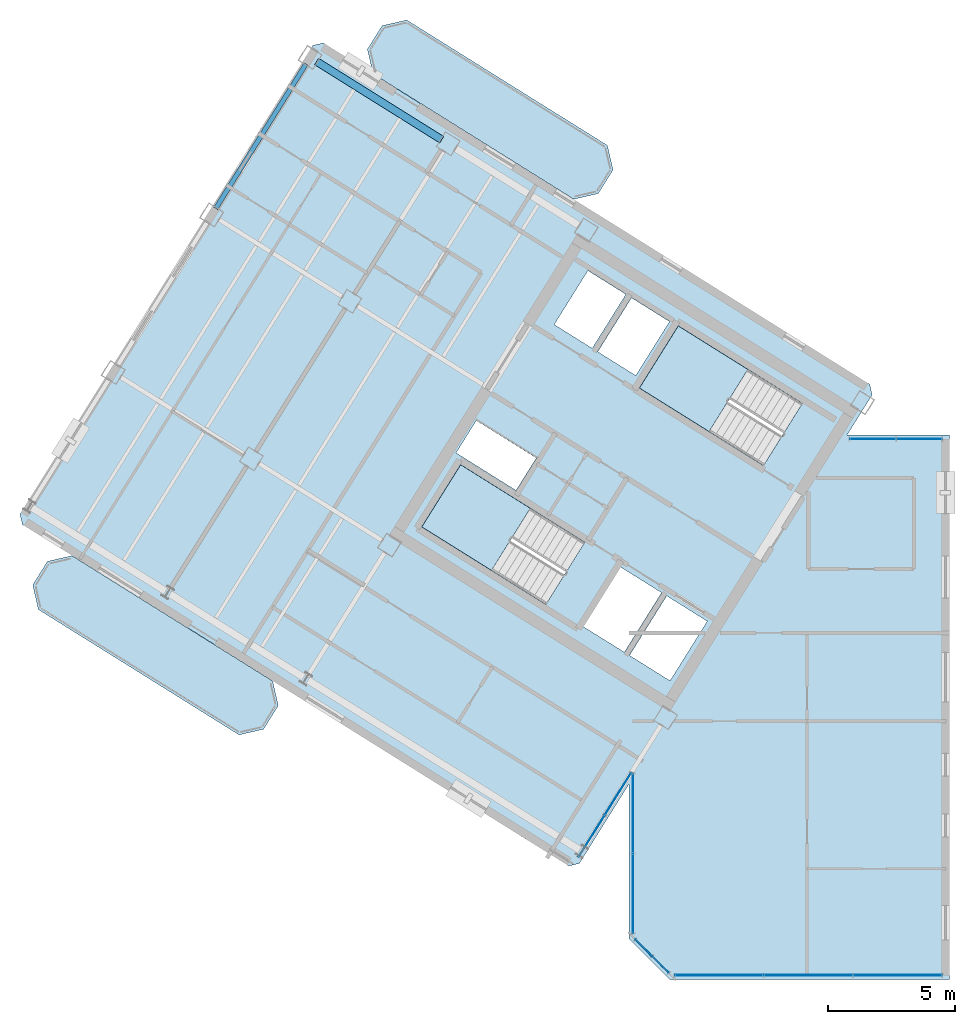
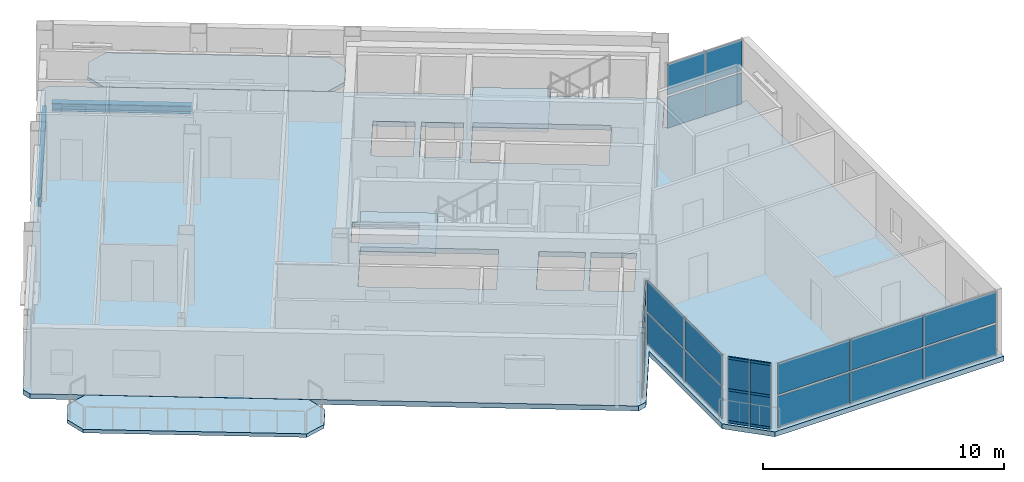
# One storey, part 6 of 12: 22 plates, 6 members, 5 slabs, 2 beams, 7 elements without a shape of their own.
"""IFC4 building model written with IfcOpenShell, lengths in metres."""

from ifc_helpers import new_model, si_unit, direction, frame, origin, origin_2d, place, context, subcontext, project, spatial, polyline, rectangle, hollow_rectangle, i_section, outline, extrude, source, transform, mapped, material, layer, layer_set, material_profile, profile_set, type_object, element, aggregate, save


model = new_model("IFC4")

# Units and contexts
model_context = context("Model", 3, precision=1e-05, world=origin(), true_north=direction((0.0, 1.0)))
body_context = subcontext(model_context, "Body", "Model", "MODEL_VIEW")
ifc_project = project(units=[si_unit("LENGTHUNIT", "METRE"), si_unit("AREAUNIT", "SQUARE_METRE"), si_unit("VOLUMEUNIT", "CUBIC_METRE"), si_unit("PLANEANGLEUNIT", "RADIAN"), si_unit("MASSUNIT", "GRAM", prefix="KILO")], contexts=[model_context])

# Site, building, storey
site_placement = place(None, origin())
site = spatial("IfcSite", under=ifc_project, at=site_placement, CompositionType="ELEMENT")
building_placement = place(site_placement, origin())
building = spatial("IfcBuilding", under=site, at=building_placement, Name="Tlacorven Tower", CompositionType="ELEMENT")
storey_placement = place(building_placement, frame((0.0, 0.0, 288.0)))
storey = spatial("IfcBuildingStorey", under=building, at=storey_placement, Name="L73", CompositionType="ELEMENT", Elevation=288.0)

# Beams
ifc_material_1 = material(Name="Steel S355J2", Category="steel")
ifc_material_profile_1 = material_profile(ifc_material_1, i_section(OverallWidth=0.300048828125, OverallDepth=0.389892578125, WebThickness=0.010986328125, FlangeThickness=0.01904296875, at=origin_2d()), Name="HEA 400")
ifc_profile_set_1 = profile_set([ifc_material_profile_1], Name="Steel S355J2")
beam_type_1 = type_object("IfcBeamType", Name="BM-SPN-400", PredefinedType="SPANDREL", material=ifc_profile_set_1)
shared_shape_1 = source(origin(), body_context, "Body", "SweptSolid", [
    extrude(i_section(OverallWidth=0.300048828125, OverallDepth=0.389892578125, WebThickness=0.010986328125, FlangeThickness=0.01904296875, at=origin_2d()), origin(), (0.0, 0.0, 1.0), 5.800048828125),
])
beam_1_placement = place(storey_placement, frame((24.24609375, 34.8017578125, -0.445068359375), z_axis=(-0.848052689693, 0.529911912967, 0.0), x_axis=(-0.529911912967, -0.848052689693, 0.0)))
element("IfcBeam", 1, at=beam_1_placement, inside=storey, type_object=beam_type_1, Name="L73 beam BM-L73-WL1-4", PredefinedType="SPANDREL", context=body_context, shape_type="MappedRepresentation", body=[
    mapped(shared_shape_1, transform((0.0, 0.0, 0.0), scale=1.0)),
])
ifc_material_profile_2 = material_profile(ifc_material_1, i_section(OverallWidth=0.18994140625, OverallDepth=0.449951171875, WebThickness=0.009521484375, FlangeThickness=0.0146484375, at=origin_2d()), Name="IPE 450")
ifc_profile_set_2 = profile_set([ifc_material_profile_2], Name="Steel S355J2")
beam_type_2 = type_object("IfcBeamType", Name="BM-TWR-450", PredefinedType="BEAM", material=ifc_profile_set_2)
shared_shape_2 = source(origin(), body_context, "Body", "SweptSolid", [
    extrude(i_section(OverallWidth=0.18994140625, OverallDepth=0.449951171875, WebThickness=0.009521484375, FlangeThickness=0.0146484375, at=origin_2d()), origin(), (0.0, 0.0, 1.0), 6.7001953125),
])
beam_2_placement = place(storey_placement, frame((18.9140625, 37.780029296875, -0.47509765625), z_axis=(-0.52991377951, -0.848051523367, 0.0), x_axis=(0.848051523367, -0.52991377951, 0.0)))
element("IfcBeam", 2, at=beam_2_placement, inside=storey, type_object=beam_type_2, Name="L73 beam BM-L73-WT5-1", PredefinedType="BEAM", context=body_context, shape_type="MappedRepresentation", body=[
    mapped(shared_shape_2, transform((0.0, 0.0, 0.0), scale=1.0)),
])

# Curtain wall, members
ifc_material_2 = material(Name="Dark solar low-E double glazing in aluminium frame", Category="aluminium")
curtain_wall_type = type_object("IfcCurtainWallType", Name="CW-TWR-HIGH", PredefinedType="USERDEFINED", material=ifc_material_2)
curtain_wall_1_placement = place(storey_placement, origin())
curtain_wall_1 = element("IfcCurtainWall", 3, at=curtain_wall_1_placement, inside=storey, type_object=curtain_wall_type, Name="L73 CW-TWR-HIGH Curtain Wall 340", ObjectType="UNITISED CURTAIN WALL", PredefinedType="USERDEFINED")
ifc_material_3 = material(Name="Aluminium 6063-T6 anodised", Category="aluminium")
ifc_material_profile_3 = material_profile(ifc_material_3, hollow_rectangle(XDim=0.054931640625, YDim=0.1201171875, WallThickness=0.00341796875, at=origin_2d()), Name="ALU TRANSOM 55X120")
ifc_profile_set_3 = profile_set([ifc_material_profile_3], Name="Aluminium 6063-T6 anodised")
member_type = type_object("IfcMemberType", Name="CWT-03", PredefinedType="USERDEFINED", material=ifc_profile_set_3)
shared_shape_3 = source(origin(), body_context, "Body", "SweptSolid", [
    extrude(hollow_rectangle(XDim=0.054931640625, YDim=0.1201171875, WallThickness=0.00341796875, at=origin_2d()), origin(), (0.0, 0.0, 1.0), 0.899169921875),
])
member_1_placement = place(storey_placement, frame((33.16162109375, 2.064697265625, 0.06005859375), z_axis=(-0.707106781187, 0.707106781187, 0.0), x_axis=(-0.707106781187, -0.707106781187, 0.0)))
member_1 = element("IfcMember", 4, at=member_1_placement, type_object=member_type, Name="CW-L73-340 Transom 1", ObjectType="TRANSOM", PredefinedType="USERDEFINED", context=body_context, shape_type="MappedRepresentation", body=[
    mapped(shared_shape_3, transform((0.0, 0.0, 0.0), scale=1.0)),
])
member_2_placement = place(storey_placement, frame((33.16162109375, 2.064697265625, 1.675048828125), z_axis=(-0.707106781187, 0.707106781187, 0.0), x_axis=(-0.707106781187, -0.707106781187, 0.0)))
member_2 = element("IfcMember", 5, at=member_2_placement, type_object=member_type, Name="CW-L73-340 Transom 2", ObjectType="TRANSOM", PredefinedType="USERDEFINED", context=body_context, shape_type="MappedRepresentation", body=[
    mapped(shared_shape_3, transform((0.0, 0.0, 0.0), scale=1.0)),
])
member_3_placement = place(storey_placement, frame((33.16162109375, 2.064697265625, 3.2900390625), z_axis=(-0.707106781187, 0.707106781187, 0.0), x_axis=(-0.707106781187, -0.707106781187, 0.0)))
member_3 = element("IfcMember", 6, at=member_3_placement, type_object=member_type, Name="CW-L73-340 Transom 3", ObjectType="TRANSOM", PredefinedType="USERDEFINED", context=body_context, shape_type="MappedRepresentation", body=[
    mapped(shared_shape_3, transform((0.0, 0.0, 0.0), scale=1.0)),
])
member_4_placement = place(storey_placement, frame((32.50048828125, 2.725830078125, 0.06005859375), z_axis=(-0.707106781187, 0.707106781187, 0.0), x_axis=(-0.707106781187, -0.707106781187, 0.0)))
member_4 = element("IfcMember", 7, at=member_4_placement, type_object=member_type, Name="CW-L73-340 Transom 4", ObjectType="TRANSOM", PredefinedType="USERDEFINED", context=body_context, shape_type="MappedRepresentation", body=[
    mapped(shared_shape_3, transform((0.0, 0.0, 0.0), scale=1.0)),
])
member_5_placement = place(storey_placement, frame((32.50048828125, 2.725830078125, 1.675048828125), z_axis=(-0.707106781187, 0.707106781187, 0.0), x_axis=(-0.707106781187, -0.707106781187, 0.0)))
member_5 = element("IfcMember", 8, at=member_5_placement, type_object=member_type, Name="CW-L73-340 Transom 5", ObjectType="TRANSOM", PredefinedType="USERDEFINED", context=body_context, shape_type="MappedRepresentation", body=[
    mapped(shared_shape_3, transform((0.0, 0.0, 0.0), scale=1.0)),
])
member_6_placement = place(storey_placement, frame((32.50048828125, 2.725830078125, 3.2900390625), z_axis=(-0.707106781187, 0.707106781187, 0.0), x_axis=(-0.707106781187, -0.707106781187, 0.0)))
member_6 = element("IfcMember", 9, at=member_6_placement, type_object=member_type, Name="CW-L73-340 Transom 6", ObjectType="TRANSOM", PredefinedType="USERDEFINED", context=body_context, shape_type="MappedRepresentation", body=[
    mapped(shared_shape_3, transform((0.0, 0.0, 0.0), scale=1.0)),
])

# Slabs
ifc_material_4 = material(Name="Precast concrete C45/55", Category="concrete")
ifc_layer_1 = layer(ifc_material_4, 0.179931640625)
ifc_layer_set_1 = layer_set([ifc_layer_1], Name="Precast concrete C45/55")
slab_type_1 = type_object("IfcSlabType", Name="SL-BAL-180", PredefinedType="USERDEFINED", material=ifc_layer_set_1)
slab_1_placement = place(storey_placement, frame((0.0, 0.0, -0.179931640625)))
element("IfcSlab", 10, at=slab_1_placement, inside=storey, type_object=slab_type_1, Name="L73 West Wing Balcony Ribbon OUT", ObjectType="BALCONY SLAB", PredefinedType="USERDEFINED", context=body_context, shape_type="SweptSolid", body=[
    extrude(outline(polyline([(17.601318359375, 13.52490234375), (9.71435546875, 18.453125), (8.749755859375, 18.23046875), (8.169677734375, 17.3017578125), (8.392333984375, 16.33740234375), (16.279052734375, 11.408935546875), (17.24365234375, 11.6318359375), (17.823974609375, 12.560302734375), (17.601318359375, 13.52490234375)])), origin(), (0.0, 0.0, 1.0), 0.179931640625),
])
slab_2_placement = place(storey_placement, frame((0.0, 0.0, -0.179931640625)))
element("IfcSlab", 11, at=slab_2_placement, inside=storey, type_object=slab_type_1, Name="L73 West Wing Balcony Ribbon IN", ObjectType="BALCONY SLAB", PredefinedType="USERDEFINED", context=body_context, shape_type="SweptSolid", body=[
    extrude(outline(polyline([(30.756591796875, 34.57763671875), (22.86962890625, 39.505859375), (21.905029296875, 39.283203125), (21.324951171875, 38.354736328125), (21.547607421875, 37.39013671875), (29.434326171875, 32.4619140625), (30.39892578125, 32.6845703125), (30.979248046875, 33.613037109375), (30.756591796875, 34.57763671875)])), origin(), (0.0, 0.0, 1.0), 0.179931640625),
])

# Stair, slab
ifc_material_5 = material(Name="Concrete C40/50", Category="concrete")
stair_type = type_object("IfcStairType", Name="ST-CORE-DLG", PredefinedType="HALF_TURN_STAIR", material=ifc_material_5)
stair_1_placement = place(storey_placement, origin())
stair_1 = element("IfcStair", 12, at=stair_1_placement, inside=storey, type_object=stair_type, Name="L73 Protected Exit Stair West 1", PredefinedType="HALF_TURN_STAIR")
ifc_layer_2 = layer(ifc_material_5, 0.199951171875)
ifc_layer_set_2 = layer_set([ifc_layer_2], Name="Concrete C40/50")
slab_type_2 = type_object("IfcSlabType", Name="SL-LND-200", PredefinedType="LANDING", material=ifc_layer_set_2)
slab_3_placement = place(storey_placement, frame((0.0, 0.0, 1.60009765625)))
slab_3 = element("IfcSlab", 13, at=slab_3_placement, type_object=slab_type_2, Name="ST-W1 landing 1", PredefinedType="LANDING", context=body_context, shape_type="SweptSolid", body=[
    extrude(outline(polyline([(27.728515625, 20.315185546875), (24.9892578125, 22.02685546875), (23.463134765625, 19.58447265625), (26.2021484375, 17.872802734375), (27.728515625, 20.315185546875)])), origin(), (0.0, 0.0, 1.0), 0.199951171875),
])
aggregate(stair_1, [slab_3])

stair_2_placement = place(storey_placement, origin())
stair_2 = element("IfcStair", 14, at=stair_2_placement, inside=storey, type_object=stair_type, Name="L73 Protected Exit Stair West 2", PredefinedType="HALF_TURN_STAIR")
slab_4_placement = place(storey_placement, frame((0.0, 0.0, 1.60009765625)))
slab_4 = element("IfcSlab", 15, at=slab_4_placement, type_object=slab_type_2, Name="ST-W2 landing 1", PredefinedType="LANDING", context=body_context, shape_type="SweptSolid", body=[
    extrude(outline(polyline([(36.280029296875, 25.772705078125), (33.540771484375, 27.484375), (32.0146484375, 25.0419921875), (34.75390625, 23.33056640625), (36.280029296875, 25.772705078125)])), origin(), (0.0, 0.0, 1.0), 0.199951171875),
])
aggregate(stair_2, [slab_4])

# Slab
ifc_layer_3 = layer(ifc_material_5, 0.25)
ifc_layer_set_3 = layer_set([ifc_layer_3], Name="Concrete C40/50")
slab_type_3 = type_object("IfcSlabType", Name="SL-TWR-250", PredefinedType="FLOOR", material=ifc_layer_set_3)
slab_5_placement = place(storey_placement, frame((0.0, 0.0, -0.25)))
element("IfcSlab", 16, at=slab_5_placement, inside=storey, type_object=slab_type_3, Name="L73 Boomerang Tower Floor Slab", PredefinedType="FLOOR", context=body_context, shape_type="SweptSolid", body=[
    extrude(outline(polyline([(44.199951171875, 23.199951171875), (44.199951171875, 1.800048828125), (33.199951171875, 1.800048828125), (31.60009765625, 3.39990234375), (31.60009765625, 9.470703125), (29.652587890625, 6.35400390625), (29.2392578125, 6.258544921875), (7.7666015625, 19.67626953125), (7.671142578125, 20.089599609375), (19.180908203125, 38.50927734375), (19.594482421875, 38.604736328125), (41.06689453125, 25.18701171875), (41.162353515625, 24.773681640625), (40.178955078125, 23.199951171875), (44.199951171875, 23.199951171875)]), holes=[polyline([(29.865478515625, 18.979736328125), (24.9892578125, 22.02685546875), (23.463134765625, 19.58447265625), (28.33935546875, 16.537353515625), (29.865478515625, 18.979736328125)]), polyline([(38.4169921875, 24.4375), (33.540771484375, 27.484375), (32.0146484375, 25.0419921875), (36.890869140625, 21.9951171875), (38.4169921875, 24.4375)]), polyline([(34.682373046875, 15.87548828125), (33.088134765625, 16.871826171875), (31.62548828125, 14.531005859375), (33.2197265625, 13.534912109375), (34.682373046875, 15.87548828125)]), polyline([(32.884521484375, 16.9990234375), (31.2392578125, 18.02685546875), (29.77685546875, 15.686279296875), (31.421875, 14.658203125), (32.884521484375, 16.9990234375)]), polyline([(33.197265625, 27.65185546875), (31.704833984375, 28.58447265625), (30.3798828125, 26.46435546875), (31.87255859375, 25.53173828125), (33.197265625, 27.65185546875)]), polyline([(31.484375, 28.722412109375), (29.99169921875, 29.655029296875), (28.6669921875, 27.534912109375), (30.159423828125, 26.602294921875), (31.484375, 28.722412109375)]), polyline([(27.96142578125, 22.2919921875), (25.603759765625, 23.76513671875), (24.80908203125, 22.4931640625), (27.16650390625, 21.02001953125), (27.96142578125, 22.2919921875)])]), origin(), (0.0, 0.0, 1.0), 0.25),
])

# Plate
ifc_material_6 = material(Name="High-wind dark solar tempered low-E glazing", Category="glass")
ifc_layer_4 = layer(ifc_material_6, 0.028076171875)
ifc_layer_set_4 = layer_set([ifc_layer_4], Name="High-wind dark solar tempered low-E glazing")
plate_type = type_object("IfcPlateType", Name="CWP-03", PredefinedType="CURTAIN_PANEL", material=ifc_layer_set_4)
shared_shape_4 = source(origin(), body_context, "Body", "SweptSolid", [
    extrude(rectangle(XDim=0.89306640625, YDim=0.028076171875, at=origin_2d()), origin(), (0.0, 0.0, 1.0), 1.572998046875),
])
plate_1_placement = place(storey_placement, frame((32.84375, 2.382568359375, 0.05078125), z_axis=(0.0, 0.0, 1.0), x_axis=(-0.707106781187, 0.707106781187, 0.0)))
plate_1 = element("IfcPlate", 17, at=plate_1_placement, type_object=plate_type, Name="CW-L73-340 Glazing Panel 1", PredefinedType="CURTAIN_PANEL", context=body_context, shape_type="MappedRepresentation", body=[
    mapped(shared_shape_4, transform((0.0, 0.0, 0.0), scale=1.0)),
])

plate_2_placement = place(storey_placement, frame((32.84375, 2.382568359375, 1.72607421875), z_axis=(0.0, 0.0, 1.0), x_axis=(-0.707106781187, 0.707106781187, 0.0)))
plate_2 = element("IfcPlate", 18, at=plate_2_placement, type_object=plate_type, Name="CW-L73-340 Glazing Panel 2", PredefinedType="CURTAIN_PANEL", context=body_context, shape_type="MappedRepresentation", body=[
    mapped(shared_shape_4, transform((0.0, 0.0, 0.0), scale=1.0)),
])

plate_3_placement = place(storey_placement, frame((32.1826171875, 3.043701171875, 0.05078125), z_axis=(0.0, 0.0, 1.0), x_axis=(-0.707106781187, 0.707106781187, 0.0)))
plate_3 = element("IfcPlate", 19, at=plate_3_placement, type_object=plate_type, Name="CW-L73-340 Glazing Panel 3", PredefinedType="CURTAIN_PANEL", context=body_context, shape_type="MappedRepresentation", body=[
    mapped(shared_shape_4, transform((0.0, 0.0, 0.0), scale=1.0)),
])

plate_4_placement = place(storey_placement, frame((32.1826171875, 3.043701171875, 1.72607421875), z_axis=(0.0, 0.0, 1.0), x_axis=(-0.707106781187, 0.707106781187, 0.0)))
plate_4 = element("IfcPlate", 20, at=plate_4_placement, type_object=plate_type, Name="CW-L73-340 Glazing Panel 4", PredefinedType="CURTAIN_PANEL", context=body_context, shape_type="MappedRepresentation", body=[
    mapped(shared_shape_4, transform((0.0, 0.0, 0.0), scale=1.0)),
])

aggregate(curtain_wall_1, [member_1, member_2, member_3, plate_1, plate_2, member_4, member_5, member_6, plate_3, plate_4])

# Curtain wall, plates
curtain_wall_2_placement = place(storey_placement, origin())
curtain_wall_2 = element("IfcCurtainWall", 21, at=curtain_wall_2_placement, inside=storey, type_object=curtain_wall_type, Name="L73 CW-TWR-HIGH Curtain Wall 341", ObjectType="UNITISED CURTAIN WALL", PredefinedType="USERDEFINED")
shared_shape_5 = source(origin(), body_context, "Body", "SweptSolid", [
    extrude(rectangle(XDim=3.109130859375, YDim=0.028076171875, at=origin_2d()), origin(), (0.0, 0.0, 1.0), 1.572998046875),
])
plate_5_placement = place(storey_placement, frame((31.760009765625, 5.171875, 0.05078125), z_axis=(0.0, 0.0, 1.0), x_axis=(0.0, 1.0, 0.0)))
plate_5 = element("IfcPlate", 22, at=plate_5_placement, type_object=plate_type, Name="CW-L73-341 Glazing Panel 1", PredefinedType="CURTAIN_PANEL", context=body_context, shape_type="MappedRepresentation", body=[
    mapped(shared_shape_5, transform((0.0, 0.0, 0.0), scale=1.0)),
])
plate_6_placement = place(storey_placement, frame((31.760009765625, 5.171875, 1.72607421875), z_axis=(0.0, 0.0, 1.0), x_axis=(0.0, 1.0, 0.0)))
plate_6 = element("IfcPlate", 23, at=plate_6_placement, type_object=plate_type, Name="CW-L73-341 Glazing Panel 2", PredefinedType="CURTAIN_PANEL", context=body_context, shape_type="MappedRepresentation", body=[
    mapped(shared_shape_5, transform((0.0, 0.0, 0.0), scale=1.0)),
])
plate_7_placement = place(storey_placement, frame((31.760009765625, 8.322998046875, 0.05078125), z_axis=(0.0, 0.0, 1.0), x_axis=(0.0, 1.0, 0.0)))
plate_7 = element("IfcPlate", 24, at=plate_7_placement, type_object=plate_type, Name="CW-L73-341 Glazing Panel 3", PredefinedType="CURTAIN_PANEL", context=body_context, shape_type="MappedRepresentation", body=[
    mapped(shared_shape_5, transform((0.0, 0.0, 0.0), scale=1.0)),
])
plate_8_placement = place(storey_placement, frame((31.760009765625, 8.322998046875, 1.72607421875), z_axis=(0.0, 0.0, 1.0), x_axis=(0.0, 1.0, 0.0)))
plate_8 = element("IfcPlate", 25, at=plate_8_placement, type_object=plate_type, Name="CW-L73-341 Glazing Panel 4", PredefinedType="CURTAIN_PANEL", context=body_context, shape_type="MappedRepresentation", body=[
    mapped(shared_shape_5, transform((0.0, 0.0, 0.0), scale=1.0)),
])
aggregate(curtain_wall_2, [plate_5, plate_6, plate_7, plate_8])

curtain_wall_3_placement = place(storey_placement, origin())
curtain_wall_3 = element("IfcCurtainWall", 26, at=curtain_wall_3_placement, inside=storey, type_object=curtain_wall_type, Name="L73 CW-TWR-HIGH Curtain Wall 342", ObjectType="UNITISED CURTAIN WALL", PredefinedType="USERDEFINED")
shared_shape_6 = source(origin(), body_context, "Body", "SweptSolid", [
    extrude(rectangle(XDim=1.911376953125, YDim=0.028076171875, at=origin_2d()), origin(), (0.0, 0.0, 1.0), 1.572998046875),
])
plate_9_placement = place(storey_placement, frame((31.173583984375, 9.090087890625, 0.05078125), z_axis=(0.0, 0.0, 1.0), x_axis=(-0.529918710919, -0.848048441905, 0.0)))
plate_9 = element("IfcPlate", 27, at=plate_9_placement, type_object=plate_type, Name="CW-L73-342 Glazing Panel 1", PredefinedType="CURTAIN_PANEL", context=body_context, shape_type="MappedRepresentation", body=[
    mapped(shared_shape_6, transform((0.0, 0.0, 0.0), scale=1.0)),
])
plate_10_placement = place(storey_placement, frame((31.173583984375, 9.090087890625, 1.72607421875), z_axis=(0.0, 0.0, 1.0), x_axis=(-0.529918710919, -0.848048441905, 0.0)))
plate_10 = element("IfcPlate", 28, at=plate_10_placement, type_object=plate_type, Name="CW-L73-342 Glazing Panel 2", PredefinedType="CURTAIN_PANEL", context=body_context, shape_type="MappedRepresentation", body=[
    mapped(shared_shape_6, transform((0.0, 0.0, 0.0), scale=1.0)),
])
plate_11_placement = place(storey_placement, frame((30.138427734375, 7.43359375, 0.05078125), z_axis=(0.0, 0.0, 1.0), x_axis=(-0.529918710919, -0.848048441905, 0.0)))
plate_11 = element("IfcPlate", 29, at=plate_11_placement, type_object=plate_type, Name="CW-L73-342 Glazing Panel 3", PredefinedType="CURTAIN_PANEL", context=body_context, shape_type="MappedRepresentation", body=[
    mapped(shared_shape_6, transform((0.0, 0.0, 0.0), scale=1.0)),
])
plate_12_placement = place(storey_placement, frame((30.138427734375, 7.43359375, 1.72607421875), z_axis=(0.0, 0.0, 1.0), x_axis=(-0.529918710919, -0.848048441905, 0.0)))
plate_12 = element("IfcPlate", 30, at=plate_12_placement, type_object=plate_type, Name="CW-L73-342 Glazing Panel 4", PredefinedType="CURTAIN_PANEL", context=body_context, shape_type="MappedRepresentation", body=[
    mapped(shared_shape_6, transform((0.0, 0.0, 0.0), scale=1.0)),
])
aggregate(curtain_wall_3, [plate_9, plate_10, plate_11, plate_12])

curtain_wall_4_placement = place(storey_placement, origin())
curtain_wall_4 = element("IfcCurtainWall", 31, at=curtain_wall_4_placement, inside=storey, type_object=curtain_wall_type, Name="L73 CW-TWR-HIGH Curtain Wall 343", ObjectType="UNITISED CURTAIN WALL", PredefinedType="USERDEFINED")
shared_shape_7 = source(origin(), body_context, "Body", "SweptSolid", [
    extrude(rectangle(XDim=1.776123046875, YDim=0.028076171875, at=origin_2d()), origin(), (0.0, 0.0, 1.0), 1.572998046875),
])
plate_13_placement = place(storey_placement, frame((41.182861328125, 23.0400390625, 0.05078125), z_axis=(0.0, 0.0, 1.0), x_axis=(1.0, 0.0, 0.0)))
plate_13 = element("IfcPlate", 32, at=plate_13_placement, type_object=plate_type, Name="CW-L73-343 Glazing Panel 1", PredefinedType="CURTAIN_PANEL", context=body_context, shape_type="MappedRepresentation", body=[
    mapped(shared_shape_7, transform((0.0, 0.0, 0.0), scale=1.0)),
])
plate_14_placement = place(storey_placement, frame((41.182861328125, 23.0400390625, 1.72607421875), z_axis=(0.0, 0.0, 1.0), x_axis=(1.0, 0.0, 0.0)))
plate_14 = element("IfcPlate", 33, at=plate_14_placement, type_object=plate_type, Name="CW-L73-343 Glazing Panel 2", PredefinedType="CURTAIN_PANEL", context=body_context, shape_type="MappedRepresentation", body=[
    mapped(shared_shape_7, transform((0.0, 0.0, 0.0), scale=1.0)),
])
plate_15_placement = place(storey_placement, frame((43.0009765625, 23.0400390625, 0.05078125), z_axis=(0.0, 0.0, 1.0), x_axis=(1.0, 0.0, 0.0)))
plate_15 = element("IfcPlate", 34, at=plate_15_placement, type_object=plate_type, Name="CW-L73-343 Glazing Panel 3", PredefinedType="CURTAIN_PANEL", context=body_context, shape_type="MappedRepresentation", body=[
    mapped(shared_shape_7, transform((0.0, 0.0, 0.0), scale=1.0)),
])
plate_16_placement = place(storey_placement, frame((43.0009765625, 23.0400390625, 1.72607421875), z_axis=(0.0, 0.0, 1.0), x_axis=(1.0, 0.0, 0.0)))
plate_16 = element("IfcPlate", 35, at=plate_16_placement, type_object=plate_type, Name="CW-L73-343 Glazing Panel 4", PredefinedType="CURTAIN_PANEL", context=body_context, shape_type="MappedRepresentation", body=[
    mapped(shared_shape_7, transform((0.0, 0.0, 0.0), scale=1.0)),
])
aggregate(curtain_wall_4, [plate_13, plate_14, plate_15, plate_16])

curtain_wall_5_placement = place(storey_placement, origin())
curtain_wall_5 = element("IfcCurtainWall", 36, at=curtain_wall_5_placement, inside=storey, type_object=curtain_wall_type, Name="L73 CW-TWR-HIGH Curtain Wall 339", ObjectType="UNITISED CURTAIN WALL", PredefinedType="USERDEFINED")
shared_shape_8 = source(origin(), body_context, "Body", "SweptSolid", [
    extrude(rectangle(XDim=3.45263671875, YDim=0.028076171875, at=origin_2d()), origin(), (0.0, 0.0, 1.0), 1.572998046875),
])
plate_17_placement = place(storey_placement, frame((42.16259765625, 1.9599609375, 0.05078125), z_axis=(0.0, 0.0, 1.0), x_axis=(-1.0, 0.0, 0.0)))
plate_17 = element("IfcPlate", 37, at=plate_17_placement, type_object=plate_type, Name="CW-L73-339 Glazing Panel 1", PredefinedType="CURTAIN_PANEL", context=body_context, shape_type="MappedRepresentation", body=[
    mapped(shared_shape_8, transform((0.0, 0.0, 0.0), scale=1.0)),
])
plate_18_placement = place(storey_placement, frame((42.16259765625, 1.9599609375, 1.72607421875), z_axis=(0.0, 0.0, 1.0), x_axis=(-1.0, 0.0, 0.0)))
plate_18 = element("IfcPlate", 38, at=plate_18_placement, type_object=plate_type, Name="CW-L73-339 Glazing Panel 2", PredefinedType="CURTAIN_PANEL", context=body_context, shape_type="MappedRepresentation", body=[
    mapped(shared_shape_8, transform((0.0, 0.0, 0.0), scale=1.0)),
])
plate_19_placement = place(storey_placement, frame((35.1435546875, 1.9599609375, 0.05078125), z_axis=(0.0, 0.0, 1.0), x_axis=(-1.0, 0.0, 0.0)))
plate_19 = element("IfcPlate", 39, at=plate_19_placement, type_object=plate_type, Name="CW-L73-339 Glazing Panel 5", PredefinedType="CURTAIN_PANEL", context=body_context, shape_type="MappedRepresentation", body=[
    mapped(shared_shape_8, transform((0.0, 0.0, 0.0), scale=1.0)),
])
plate_20_placement = place(storey_placement, frame((35.1435546875, 1.9599609375, 1.72607421875), z_axis=(0.0, 0.0, 1.0), x_axis=(-1.0, 0.0, 0.0)))
plate_20 = element("IfcPlate", 40, at=plate_20_placement, type_object=plate_type, Name="CW-L73-339 Glazing Panel 6", PredefinedType="CURTAIN_PANEL", context=body_context, shape_type="MappedRepresentation", body=[
    mapped(shared_shape_8, transform((0.0, 0.0, 0.0), scale=1.0)),
])
shared_shape_9 = source(origin(), body_context, "Body", "SweptSolid", [
    extrude(rectangle(XDim=3.482666015625, YDim=0.028076171875, at=origin_2d()), origin(), (0.0, 0.0, 1.0), 1.572998046875),
])
plate_21_placement = place(storey_placement, frame((38.653076171875, 1.9599609375, 0.05078125), z_axis=(0.0, 0.0, 1.0), x_axis=(-1.0, 0.0, 0.0)))
plate_21 = element("IfcPlate", 41, at=plate_21_placement, type_object=plate_type, Name="CW-L73-339 Glazing Panel 3", PredefinedType="CURTAIN_PANEL", context=body_context, shape_type="MappedRepresentation", body=[
    mapped(shared_shape_9, transform((0.0, 0.0, 0.0), scale=1.0)),
])
plate_22_placement = place(storey_placement, frame((38.653076171875, 1.9599609375, 1.72607421875), z_axis=(0.0, 0.0, 1.0), x_axis=(-1.0, 0.0, 0.0)))
plate_22 = element("IfcPlate", 42, at=plate_22_placement, type_object=plate_type, Name="CW-L73-339 Glazing Panel 4", PredefinedType="CURTAIN_PANEL", context=body_context, shape_type="MappedRepresentation", body=[
    mapped(shared_shape_9, transform((0.0, 0.0, 0.0), scale=1.0)),
])
aggregate(curtain_wall_5, [plate_17, plate_18, plate_21, plate_22, plate_19, plate_20])

save(model, "model.ifc")
